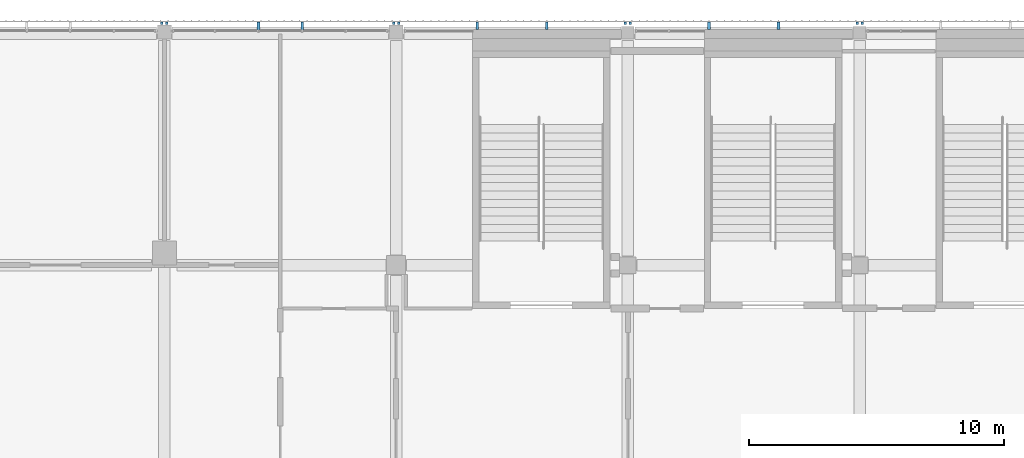
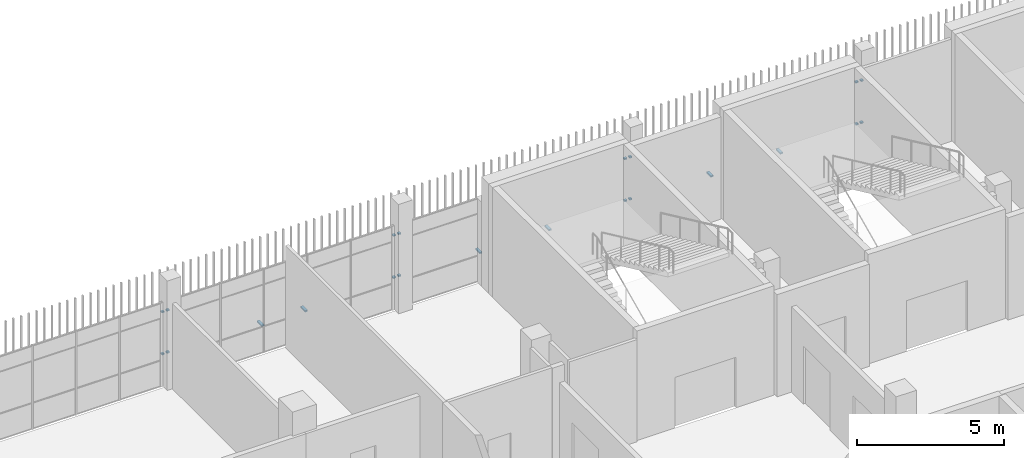
# One storey, part 83 of 104: 22 discrete accessories.
"""IFC4 building model written with IfcOpenShell, lengths in metres."""

from ifc_helpers import new_model, si_unit, direction, frame, origin, origin_2d, place, context, subcontext, project, spatial, rectangle, extrude, material, type_object, element, save


model = new_model("IFC4")

# Units and contexts
model_context = context("Model", 3, precision=1e-05, world=origin(), true_north=direction((0.0, 1.0)))
body_context = subcontext(model_context, "Body", "Model", "MODEL_VIEW")
ifc_project = project(units=[si_unit("LENGTHUNIT", "METRE"), si_unit("AREAUNIT", "SQUARE_METRE"), si_unit("VOLUMEUNIT", "CUBIC_METRE"), si_unit("PLANEANGLEUNIT", "RADIAN"), si_unit("MASSUNIT", "GRAM", prefix="KILO")], contexts=[model_context])

# Site, building, storey
site_placement = place(None, origin())
site = spatial("IfcSite", under=ifc_project, at=site_placement, CompositionType="ELEMENT")
building_placement = place(site_placement, origin())
building = spatial("IfcBuilding", under=site, at=building_placement, Name="Shirokan Park Arena", CompositionType="ELEMENT")
storey_placement = place(building_placement, frame((0.0, 0.0, 10.919921875)))
storey = spatial("IfcBuildingStorey", under=building, at=storey_placement, Name="L02", CompositionType="ELEMENT", Elevation=10.919921875)

# Discrete accessories
ifc_material = material(Name="Steel S355", Category="steel")
discrete_accessory_type = type_object("IfcDiscreteAccessoryType", Name="Veil bracket 100x60", PredefinedType="BRACKET", material=ifc_material)
for number, where, z_axis, x_axis, name in (
    (1, (127.5, 109.597412109375, 1.070068359375), (0.0, 0.0, 1.0), (-1.0, 0.0, 0.0), "Veil bracket north bay 2 L02 2"),
    (2, (127.5, 109.597412109375, 2.820068359375), (0.0, 0.0, 1.0), (-1.0, 0.0, 0.0), "Veil bracket north bay 2 L02 4"),
    (3, (127.300048828125, 109.597412109375, 1.070068359375), (0.0, 0.0, 1.0), (-1.0, 0.0, 0.0), "Veil bracket north bay 3 L02 1"),
    (4, (118.39990234375, 109.597412109375, 1.070068359375), (0.0, 0.0, 1.0), (-1.0, 0.0, 0.0), "Veil bracket north bay 3 L02 2"),
    (5, (127.300048828125, 109.597412109375, 2.820068359375), (0.0, 0.0, 1.0), (-1.0, 0.0, 0.0), "Veil bracket north bay 3 L02 3"),
    (6, (118.39990234375, 109.597412109375, 2.820068359375), (0.0, 0.0, 1.0), (-1.0, 0.0, 0.0), "Veil bracket north bay 3 L02 4"),
):
    element("IfcDiscreteAccessory", number, at=place(storey_placement, frame(where, z_axis=z_axis, x_axis=x_axis)), inside=storey, type_object=discrete_accessory_type, Name=name, PredefinedType="BRACKET", context=body_context, shape_type="SweptSolid", body=[
        extrude(rectangle(XDim=0.10009765625, YDim=0.094970703125, at=origin_2d()), origin(), (0.0, 0.0, 1.0), 0.06005859375),
    ])
for number, where, z_axis, x_axis, name in (
    (7, (124.215087890625, 109.49755859375, 1.070068359375), (0.0, 0.0, 1.0), (-1.0, 0.0, 0.0), "Veil bracket north bay 3 L02 wall 1"),
    (8, (121.485107421875, 109.49755859375, 1.070068359375), (0.0, 0.0, 1.0), (-1.0, 0.0, 0.0), "Veil bracket north bay 3 L02 wall 2"),
):
    element("IfcDiscreteAccessory", number, at=place(storey_placement, frame(where, z_axis=z_axis, x_axis=x_axis)), inside=storey, type_object=discrete_accessory_type, Name=name, PredefinedType="BRACKET", context=body_context, shape_type="SweptSolid", body=[
        extrude(rectangle(XDim=0.10009765625, YDim=0.294921875, at=origin_2d()), origin(), (0.0, 0.0, 1.0), 0.06005859375),
    ])
for number, where, z_axis, x_axis, name in (
    (9, (118.199951171875, 109.597412109375, 1.070068359375), (0.0, 0.0, 1.0), (-1.0, 0.0, 0.0), "Veil bracket north bay 4 L02 1"),
    (10, (109.300048828125, 109.597412109375, 1.070068359375), (0.0, 0.0, 1.0), (-1.0, 0.0, 0.0), "Veil bracket north bay 4 L02 2"),
    (11, (118.199951171875, 109.597412109375, 2.820068359375), (0.0, 0.0, 1.0), (-1.0, 0.0, 0.0), "Veil bracket north bay 4 L02 3"),
    (12, (109.300048828125, 109.597412109375, 2.820068359375), (0.0, 0.0, 1.0), (-1.0, 0.0, 0.0), "Veil bracket north bay 4 L02 4"),
):
    element("IfcDiscreteAccessory", number, at=place(storey_placement, frame(where, z_axis=z_axis, x_axis=x_axis)), inside=storey, type_object=discrete_accessory_type, Name=name, PredefinedType="BRACKET", context=body_context, shape_type="SweptSolid", body=[
        extrude(rectangle(XDim=0.10009765625, YDim=0.094970703125, at=origin_2d()), origin(), (0.0, 0.0, 1.0), 0.06005859375),
    ])
for number, where, z_axis, x_axis, name in (
    (13, (115.114990234375, 109.49755859375, 1.070068359375), (0.0, 0.0, 1.0), (-1.0, 0.0, 0.0), "Veil bracket north bay 4 L02 wall 1"),
    (14, (112.385009765625, 109.49755859375, 1.070068359375), (0.0, 0.0, 1.0), (-1.0, 0.0, 0.0), "Veil bracket north bay 4 L02 wall 2"),
):
    element("IfcDiscreteAccessory", number, at=place(storey_placement, frame(where, z_axis=z_axis, x_axis=x_axis)), inside=storey, type_object=discrete_accessory_type, Name=name, PredefinedType="BRACKET", context=body_context, shape_type="SweptSolid", body=[
        extrude(rectangle(XDim=0.10009765625, YDim=0.294921875, at=origin_2d()), origin(), (0.0, 0.0, 1.0), 0.06005859375),
    ])
for number, where, z_axis, x_axis, name in (
    (15, (109.10009765625, 109.597412109375, 1.070068359375), (0.0, 0.0, 1.0), (-1.0, 0.0, 0.0), "Veil bracket north bay 5 L02 1"),
    (16, (100.199951171875, 109.597412109375, 1.070068359375), (0.0, 0.0, 1.0), (-1.0, 0.0, 0.0), "Veil bracket north bay 5 L02 2"),
    (17, (109.10009765625, 109.597412109375, 2.820068359375), (0.0, 0.0, 1.0), (-1.0, 0.0, 0.0), "Veil bracket north bay 5 L02 3"),
    (18, (100.199951171875, 109.597412109375, 2.820068359375), (0.0, 0.0, 1.0), (-1.0, 0.0, 0.0), "Veil bracket north bay 5 L02 4"),
):
    element("IfcDiscreteAccessory", number, at=place(storey_placement, frame(where, z_axis=z_axis, x_axis=x_axis)), inside=storey, type_object=discrete_accessory_type, Name=name, PredefinedType="BRACKET", context=body_context, shape_type="SweptSolid", body=[
        extrude(rectangle(XDim=0.10009765625, YDim=0.094970703125, at=origin_2d()), origin(), (0.0, 0.0, 1.0), 0.06005859375),
    ])
for number, where, z_axis, x_axis, name in (
    (19, (105.5048828125, 109.485107421875, 1.070068359375), (0.0, 0.0, 1.0), (-1.0, 0.0, 0.0), "Veil bracket north bay 5 L02 wall 1"),
    (20, (103.794921875, 109.485107421875, 1.070068359375), (0.0, 0.0, 1.0), (-1.0, 0.0, 0.0), "Veil bracket north bay 5 L02 wall 2"),
):
    element("IfcDiscreteAccessory", number, at=place(storey_placement, frame(where, z_axis=z_axis, x_axis=x_axis)), inside=storey, type_object=discrete_accessory_type, Name=name, PredefinedType="BRACKET", context=body_context, shape_type="SweptSolid", body=[
        extrude(rectangle(XDim=0.10009765625, YDim=0.320068359375, at=origin_2d()), origin(), (0.0, 0.0, 1.0), 0.06005859375),
    ])
for number, where, z_axis, x_axis, name in (
    (21, (100.0, 109.597412109375, 1.070068359375), (0.0, 0.0, 1.0), (-1.0, 0.0, 0.0), "Veil bracket north bay 6 L02 1"),
    (22, (100.0, 109.597412109375, 2.820068359375), (0.0, 0.0, 1.0), (-1.0, 0.0, 0.0), "Veil bracket north bay 6 L02 3"),
):
    element("IfcDiscreteAccessory", number, at=place(storey_placement, frame(where, z_axis=z_axis, x_axis=x_axis)), inside=storey, type_object=discrete_accessory_type, Name=name, PredefinedType="BRACKET", context=body_context, shape_type="SweptSolid", body=[
        extrude(rectangle(XDim=0.10009765625, YDim=0.094970703125, at=origin_2d()), origin(), (0.0, 0.0, 1.0), 0.06005859375),
    ])

save(model, "model.ifc")
